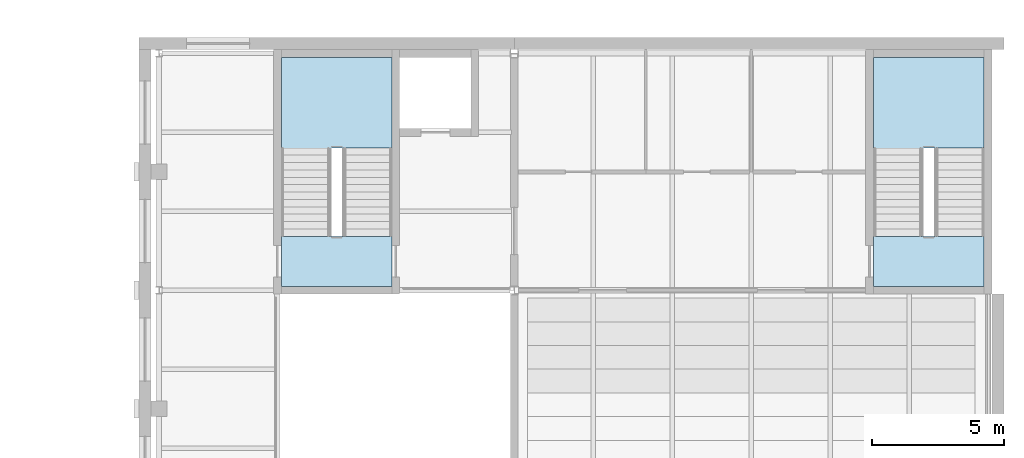
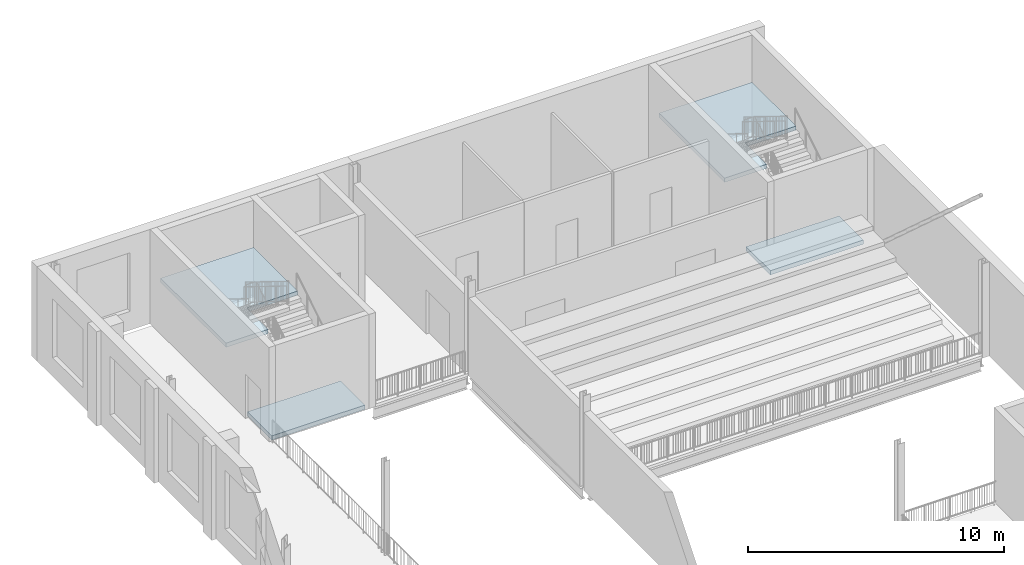
# One storey, part 39 of 74: 4 slabs, 2 elements without a shape of their own.
"""IFC4 building model written with IfcOpenShell, lengths in metres."""

from ifc_helpers import new_model, si_unit, direction, frame, origin, place, context, subcontext, project, spatial, polyline, outline, extrude, material, layer, layer_set, type_object, element, aggregate, save


model = new_model("IFC4")

# Units and contexts
model_context = context("Model", 3, precision=1e-05, world=origin(), true_north=direction((0.0, 1.0)))
body_context = subcontext(model_context, "Body", "Model", "MODEL_VIEW")
ifc_project = project(units=[si_unit("LENGTHUNIT", "METRE"), si_unit("AREAUNIT", "SQUARE_METRE"), si_unit("VOLUMEUNIT", "CUBIC_METRE"), si_unit("PLANEANGLEUNIT", "RADIAN"), si_unit("MASSUNIT", "GRAM", prefix="KILO")], contexts=[model_context])

# Site, building, storey
site_placement = place(None, origin())
site = spatial("IfcSite", under=ifc_project, at=site_placement, CompositionType="ELEMENT")
building_placement = place(site_placement, origin())
building = spatial("IfcBuilding", under=site, at=building_placement, Name="Hortulan Conservatory and Botanical Research Centre", CompositionType="ELEMENT")
storey_placement = place(building_placement, frame((0.0, 0.0, 6.0)))
storey = spatial("IfcBuildingStorey", under=building, at=storey_placement, Name="L01", CompositionType="ELEMENT", Elevation=6.0)

# Stair, slab
ifc_material = material(Name="Concrete N40 (40 MPa, AS 3600)", Category="concrete")
stair_type = type_object("IfcStairType", Name="Concrete Escape Stair 1900", PredefinedType="HALF_TURN_STAIR", material=ifc_material)
stair_1_placement = place(storey_placement, origin())
stair_1 = element("IfcStair", 1, at=stair_1_placement, inside=storey, type_object=stair_type, Name="Stair A1 L01", PredefinedType="HALF_TURN_STAIR")
ifc_layer = layer(ifc_material, 0.199951171875)
ifc_layer_set = layer_set([ifc_layer], Name="Stair Landing 200")
slab_type = type_object("IfcSlabType", Name="Stair Landing 200", PredefinedType="LANDING", material=ifc_layer_set)
slab_1_placement = place(storey_placement, frame((0.0, 0.0, 2.050048828125)))
slab_1 = element("IfcSlab", 2, at=slab_1_placement, type_object=slab_type, Name="Stair A1 L01 half landing 1", PredefinedType="LANDING", context=body_context, shape_type="SweptSolid", body=[
    extrude(outline(polyline([(85.35009765625, 68.409423828125), (83.050048828125, 68.409423828125), (83.050048828125, 66.72998046875), (81.14990234375, 66.72998046875), (81.14990234375, 68.409912109375), (81.14990234375, 68.409912109375), (81.14990234375, 68.419921875), (81.14990234375, 71.85009765625), (85.35009765625, 71.85009765625), (85.35009765625, 68.419921875), (85.35009765625, 68.409912109375), (85.35009765625, 68.409423828125)])), origin(), (0.0, 0.0, 1.0), 0.199951171875),
])
aggregate(stair_1, [slab_1])

# Slab
slab_2_placement = place(storey_placement, frame((0.0, 0.0, -0.199951171875)))
element("IfcSlab", 3, at=slab_2_placement, inside=storey, type_object=slab_type, Name="Stair A1 floor landing L01", PredefinedType="LANDING", context=body_context, shape_type="SweptSolid", body=[
    extrude(outline(polyline([(85.35009765625, 63.14990234375), (81.14990234375, 63.14990234375), (81.14990234375, 65.050048828125), (85.35009765625, 65.050048828125), (85.35009765625, 63.14990234375)])), origin(), (0.0, 0.0, 1.0), 0.199951171875),
])

# Stair, slab
stair_2_placement = place(storey_placement, origin())
stair_2 = element("IfcStair", 4, at=stair_2_placement, inside=storey, type_object=stair_type, Name="Stair A3 L01", PredefinedType="HALF_TURN_STAIR")
slab_3_placement = place(storey_placement, frame((0.0, 0.0, 2.050048828125)))
slab_3 = element("IfcSlab", 5, at=slab_3_placement, type_object=slab_type, Name="Stair A3 L01 half landing 1", PredefinedType="LANDING", context=body_context, shape_type="SweptSolid", body=[
    extrude(outline(polyline([(107.85009765625, 68.409423828125), (105.550048828125, 68.409423828125), (105.550048828125, 66.72998046875), (103.64990234375, 66.72998046875), (103.64990234375, 68.409912109375), (103.64990234375, 68.409912109375), (103.64990234375, 68.419921875), (103.64990234375, 71.85009765625), (107.85009765625, 71.85009765625), (107.85009765625, 68.419921875), (107.85009765625, 68.409912109375), (107.85009765625, 68.409423828125)])), origin(), (0.0, 0.0, 1.0), 0.199951171875),
])
aggregate(stair_2, [slab_3])

# Slab
slab_4_placement = place(storey_placement, frame((0.0, 0.0, -0.199951171875)))
element("IfcSlab", 6, at=slab_4_placement, inside=storey, type_object=slab_type, Name="Stair A3 floor landing L01", PredefinedType="LANDING", context=body_context, shape_type="SweptSolid", body=[
    extrude(outline(polyline([(107.85009765625, 63.14990234375), (103.64990234375, 63.14990234375), (103.64990234375, 65.050048828125), (107.85009765625, 65.050048828125), (107.85009765625, 63.14990234375)])), origin(), (0.0, 0.0, 1.0), 0.199951171875),
])

save(model, "model.ifc")
